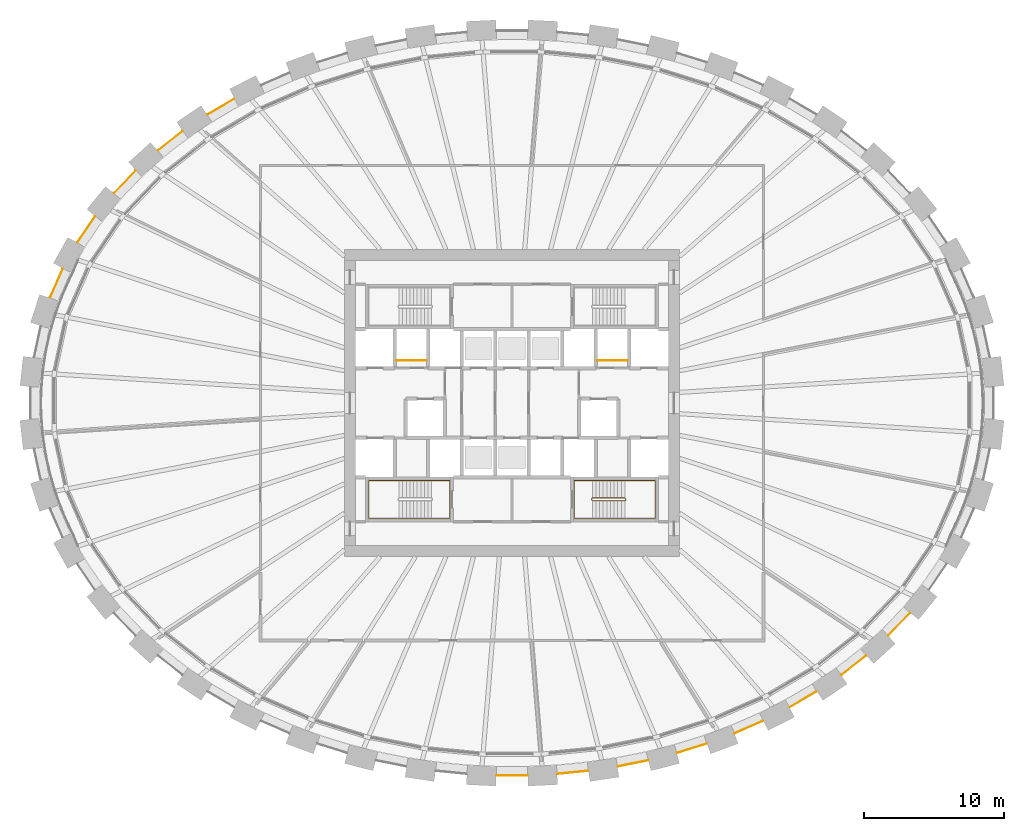
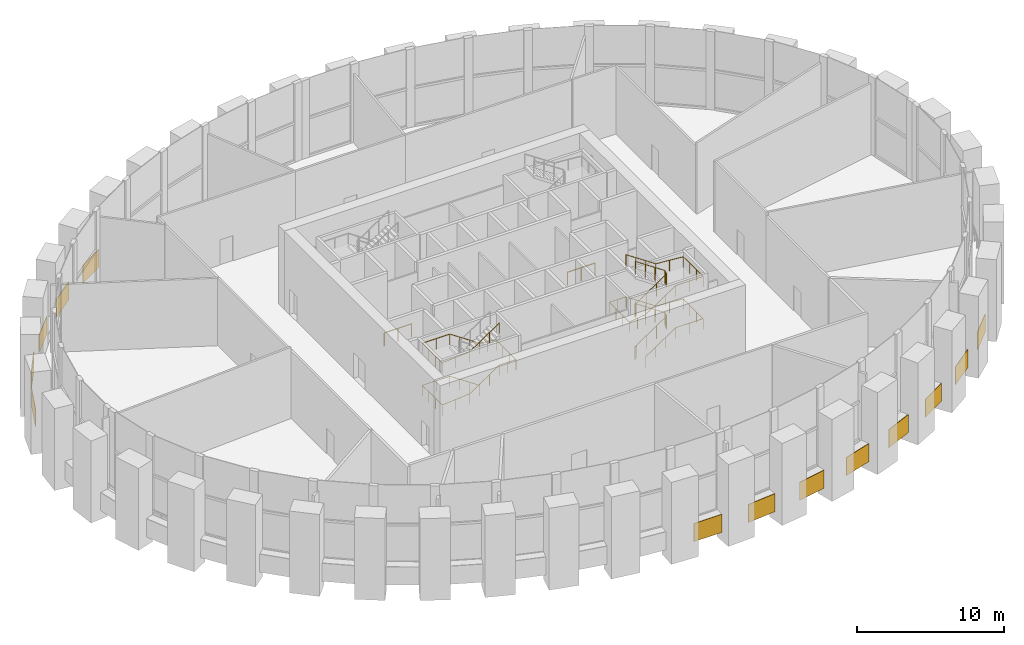
# One storey, part 13 of 16: 13 coverings, 5 railings.
"""IFC4 building model written with IfcOpenShell, lengths in metres."""

from ifc_helpers import new_model, si_unit, direction, frame, origin, origin_2d, place, context, subcontext, project, spatial, rectangle, circle, extrude, source, transform, mapped, material, layer, layer_set, type_object, element, save


model = new_model("IFC4")

# Units and contexts
model_context = context("Model", 3, precision=1e-05, world=origin(), true_north=direction((0.0, 1.0)))
body_context = subcontext(model_context, "Body", "Model", "MODEL_VIEW")
ifc_project = project(units=[si_unit("LENGTHUNIT", "METRE"), si_unit("AREAUNIT", "SQUARE_METRE"), si_unit("VOLUMEUNIT", "CUBIC_METRE"), si_unit("PLANEANGLEUNIT", "RADIAN"), si_unit("MASSUNIT", "GRAM", prefix="KILO")], contexts=[model_context])

# Site, building, storey
site_placement = place(None, origin())
site = spatial("IfcSite", under=ifc_project, at=site_placement, CompositionType="ELEMENT")
building_placement = place(site_placement, origin())
building = spatial("IfcBuilding", under=site, at=building_placement, Name="Embergate Tower", CompositionType="ELEMENT")
storey_placement = place(building_placement, frame((0.0, 0.0, 234.60009765625)))
storey = spatial("IfcBuildingStorey", under=building, at=storey_placement, Name="L54", CompositionType="ELEMENT", Elevation=234.60009765625)

# Coverings
ifc_material_1 = material(Name="Terracotta rainscreen on insulated backing", Category="masonry")
ifc_layer = layer(ifc_material_1, 0.0400390625)
ifc_layer_set = layer_set([ifc_layer], Name="Terracotta rainscreen on insulated backing")
covering_type = type_object("IfcCoveringType", Name="Terracotta rainscreen band", PredefinedType="CLADDING", material=ifc_layer_set)
shared_shape_1 = source(origin(), body_context, "Body", "SweptSolid", [
    extrude(rectangle(XDim=2.252685546875, YDim=0.0400390625, at=origin_2d()), origin(), (0.0, 0.0, 1.0), 1.5),
])
covering_1_placement = place(storey_placement, frame((-32.614501953125, 8.5810546875, -0.75), z_axis=(0.0, 0.0, 1.0), x_axis=(-0.401727222685, -0.915759378087, 0.0)))
element("IfcCovering", 1, at=covering_1_placement, inside=storey, type_object=covering_type, Name="Rainscreen band 20", PredefinedType="CLADDING", context=body_context, shape_type="MappedRepresentation", body=[
    mapped(shared_shape_1, transform((0.0, 0.0, 0.0))),
])
shared_shape_2 = source(origin(), body_context, "Body", "SweptSolid", [
    extrude(rectangle(XDim=2.248046875, YDim=0.0400390625, at=origin_2d()), origin(), (0.0, 0.0, 1.0), 1.5),
])
covering_2_placement = place(storey_placement, frame((-30.485595703125, 12.431396484375, -0.75), z_axis=(0.0, 0.0, 1.0), x_axis=(-0.562273908619, -0.826951057612, 0.0)))
element("IfcCovering", 2, at=covering_2_placement, inside=storey, type_object=covering_type, Name="Rainscreen band 19", PredefinedType="CLADDING", context=body_context, shape_type="MappedRepresentation", body=[
    mapped(shared_shape_2, transform((0.0, 0.0, 0.0))),
])
shared_shape_3 = source(origin(), body_context, "Body", "SweptSolid", [
    extrude(rectangle(XDim=2.24072265625, YDim=0.0400390625, at=origin_2d()), origin(), (0.0, 0.0, 1.0), 1.5),
])
for number, where, z_axis, x_axis, name in (
    (3, (-27.7119140625, 15.83349609375, -0.75), (0.0, 0.0, 1.0), (-0.690401506578, -0.723426402417, 0.0), "Rainscreen band 18"),
    (4, (27.7119140625, -15.83349609375, -0.75), (0.0, 0.0, 1.0), (0.690401506578, 0.723426402417, 0.0), "Rainscreen band 40"),
):
    element("IfcCovering", number, at=place(storey_placement, frame(where, z_axis=z_axis, x_axis=x_axis)), inside=storey, type_object=covering_type, Name=name, PredefinedType="CLADDING", context=body_context, shape_type="MappedRepresentation", body=[
        mapped(shared_shape_3, transform((0.0, 0.0, 0.0))),
    ])
shared_shape_4 = source(origin(), body_context, "Body", "SweptSolid", [
    extrude(rectangle(XDim=2.23583984375, YDim=0.0400390625, at=origin_2d()), origin(), (0.0, 0.0, 1.0), 1.5),
])
for number, where, z_axis, x_axis, name in (
    (5, (-24.46630859375, 18.772705078125, -0.75), (0.0, 0.0, 1.0), (-0.788532692603, -0.614992839549, 0.0), "Rainscreen band 17"),
    (6, (24.46630859375, -18.772705078125, -0.75), (0.0, 0.0, 1.0), (0.788532692603, 0.614992839549, 0.0), "Rainscreen band 39"),
):
    element("IfcCovering", number, at=place(storey_placement, frame(where, z_axis=z_axis, x_axis=x_axis)), inside=storey, type_object=covering_type, Name=name, PredefinedType="CLADDING", context=body_context, shape_type="MappedRepresentation", body=[
        mapped(shared_shape_4, transform((0.0, 0.0, 0.0))),
    ])
shared_shape_5 = source(origin(), body_context, "Body", "SweptSolid", [
    extrude(rectangle(XDim=2.23046875, YDim=0.0400390625, at=origin_2d()), origin(), (0.0, 0.0, 1.0), 1.5),
])
for number, where, z_axis, x_axis, name in (
    (7, (-20.840576171875, 21.212890625, -0.75), (0.0, 0.0, 1.0), (-0.862164602033, -0.506628265104, 0.0), "Rainscreen band 16"),
    (8, (20.840576171875, -21.212890625, -0.75), (0.0, 0.0, 1.0), (0.862164602033, 0.506628265104, 0.0), "Rainscreen band 38"),
):
    element("IfcCovering", number, at=place(storey_placement, frame(where, z_axis=z_axis, x_axis=x_axis)), inside=storey, type_object=covering_type, Name=name, PredefinedType="CLADDING", context=body_context, shape_type="MappedRepresentation", body=[
        mapped(shared_shape_5, transform((0.0, 0.0, 0.0))),
    ])
shared_shape_6 = source(origin(), body_context, "Body", "SweptSolid", [
    extrude(rectangle(XDim=2.227294921875, YDim=0.0400390625, at=origin_2d()), origin(), (0.0, 0.0, 1.0), 1.5),
])
covering_3_placement = place(storey_placement, frame((16.95458984375, -23.1962890625, -0.75), z_axis=(0.0, 0.0, 1.0), x_axis=(0.916311714041, 0.400465782199, 0.0)))
element("IfcCovering", 9, at=covering_3_placement, inside=storey, type_object=covering_type, Name="Rainscreen band 37", PredefinedType="CLADDING", context=body_context, shape_type="MappedRepresentation", body=[
    mapped(shared_shape_6, transform((0.0, 0.0, 0.0))),
])
shared_shape_7 = source(origin(), body_context, "Body", "SweptSolid", [
    extrude(rectangle(XDim=2.2255859375, YDim=0.0400390625, at=origin_2d()), origin(), (0.0, 0.0, 1.0), 1.5),
])
covering_4_placement = place(storey_placement, frame((12.87158203125, -24.719482421875, -0.75), z_axis=(0.0, 0.0, 1.0), x_axis=(0.954743670356, 0.297429863859, 0.0)))
element("IfcCovering", 10, at=covering_4_placement, inside=storey, type_object=covering_type, Name="Rainscreen band 36", PredefinedType="CLADDING", context=body_context, shape_type="MappedRepresentation", body=[
    mapped(shared_shape_7, transform((0.0, 0.0, 0.0))),
])
shared_shape_8 = source(origin(), body_context, "Body", "SweptSolid", [
    extrude(rectangle(XDim=2.223388671875, YDim=0.0400390625, at=origin_2d()), origin(), (0.0, 0.0, 1.0), 1.5),
])
covering_5_placement = place(storey_placement, frame((8.65185546875, -25.79736328125, -0.75), z_axis=(0.0, 0.0, 1.0), x_axis=(0.980494092827, 0.196548553624, 0.0)))
element("IfcCovering", 11, at=covering_5_placement, inside=storey, type_object=covering_type, Name="Rainscreen band 35", PredefinedType="CLADDING", context=body_context, shape_type="MappedRepresentation", body=[
    mapped(shared_shape_8, transform((0.0, 0.0, 0.0))),
])
shared_shape_9 = source(origin(), body_context, "Body", "SweptSolid", [
    extrude(rectangle(XDim=2.2236328125, YDim=0.0400390625, at=origin_2d()), origin(), (0.0, 0.0, 1.0), 1.5),
])
covering_6_placement = place(storey_placement, frame((4.346923828125, -26.4384765625, -0.75), z_axis=(0.0, 0.0, 1.0), x_axis=(0.995183015799, 0.098034509565, 0.0)))
element("IfcCovering", 12, at=covering_6_placement, inside=storey, type_object=covering_type, Name="Rainscreen band 34", PredefinedType="CLADDING", context=body_context, shape_type="MappedRepresentation", body=[
    mapped(shared_shape_9, transform((0.0, 0.0, 0.0))),
])
shared_shape_10 = source(origin(), body_context, "Body", "SweptSolid", [
    extrude(rectangle(XDim=2.221923828125, YDim=0.0400390625, at=origin_2d()), origin(), (0.0, 0.0, 1.0), 1.5),
])
covering_7_placement = place(storey_placement, frame((0.0, -26.652099609375, -0.75), z_axis=(0.0, 0.0, 1.0), x_axis=(1.0, 0.0, 0.0)))
element("IfcCovering", 13, at=covering_7_placement, inside=storey, type_object=covering_type, Name="Rainscreen band 33", PredefinedType="CLADDING", context=body_context, shape_type="MappedRepresentation", body=[
    mapped(shared_shape_10, transform((0.0, 0.0, 0.0))),
])

# Railings
ifc_material_2 = material(Name="Stair handrail 900")
railing_type_1 = type_object("IfcRailingType", Name="Stair handrail 900", PredefinedType="HANDRAIL", material=ifc_material_2)
shared_shape_11 = source(origin(), body_context, "Body", "SweptSolid", [
    extrude(circle(Radius=0.02392578125, at=origin_2d()), frame((0.0, 0.0, 0.8759765625), z_axis=(-0.829565388462, 0.0, 0.558409586474), x_axis=(0.0, -1.0, 0.0)), (0.0, 0.0, 1.0), 2.82080078125),
    extrude(circle(Radius=0.02392578125, at=origin_2d()), frame((-2.340087890625, 0.0, 2.451171875), z_axis=(-1.0, 0.0, 0.0), x_axis=(0.0, -1.0, 0.0)), (0.0, 0.0, 1.0), 2.159912109375),
    extrude(circle(Radius=0.02392578125, at=origin_2d()), frame((-4.5, 0.0, 2.451171875), z_axis=(0.0, -1.0, 0.0), x_axis=(1.0, 0.0, 0.0)), (0.0, 0.0, 1.0), 2.699951171875),
    extrude(circle(Radius=0.02392578125, at=origin_2d()), frame((-4.5, -2.699951171875, 2.451171875), z_axis=(0.996741055708, 0.0, 0.080667638283), x_axis=(0.0, 1.0, 0.0)), (0.0, 0.0, 1.0), 2.1669921875),
    extrude(circle(Radius=0.02392578125, at=origin_2d()), frame((-2.340087890625, -2.699951171875, 2.6259765625), z_axis=(0.829565388462, 0.0, 0.558409586474), x_axis=(0.0, 1.0, 0.0)), (0.0, 0.0, 1.0), 2.82080078125),
    extrude(circle(Radius=0.02392578125, at=origin_2d()), frame((0.0, -2.699951171875, 4.201171875), z_axis=(1.0, 0.0, 0.0), x_axis=(0.0, 1.0, 0.0)), (0.0, 0.0, 1.0), 1.300048828125),
    extrude(circle(Radius=0.02392578125, at=origin_2d()), frame((1.300048828125, -2.699951171875, 4.201171875), z_axis=(0.0, 1.0, 0.0), x_axis=(-1.0, 0.0, 0.0)), (0.0, 0.0, 1.0), 2.699951171875),
    extrude(circle(Radius=0.02392578125, at=origin_2d()), frame((1.300048828125, 0.0, 4.201171875), z_axis=(-0.99108099941, 0.0, 0.13326084424), x_axis=(0.0, -1.0, 0.0)), (0.0, 0.0, 1.0), 1.311767578125),
    extrude(circle(Radius=0.02392578125, at=origin_2d()), frame((0.0, 0.0, 4.3759765625), z_axis=(-0.829565388462, 0.0, 0.558409586474), x_axis=(0.0, -1.0, 0.0)), (0.0, 0.0, 1.0), 2.82080078125),
    extrude(circle(Radius=0.02392578125, at=origin_2d()), frame((-2.340087890625, 0.0, 5.951171875), z_axis=(-1.0, 0.0, 0.0), x_axis=(0.0, -1.0, 0.0)), (0.0, 0.0, 1.0), 2.159912109375),
    extrude(circle(Radius=0.02392578125, at=origin_2d()), frame((-4.5, 0.0, 5.951171875), z_axis=(0.0, -1.0, 0.0), x_axis=(1.0, 0.0, 0.0)), (0.0, 0.0, 1.0), 2.699951171875),
    extrude(circle(Radius=0.02392578125, at=origin_2d()), frame((-4.5, -2.699951171875, 5.951171875), z_axis=(0.996741055708, 0.0, 0.080667638283), x_axis=(0.0, 1.0, 0.0)), (0.0, 0.0, 1.0), 2.1669921875),
    extrude(circle(Radius=0.02392578125, at=origin_2d()), frame((-2.340087890625, -2.699951171875, 6.1259765625), z_axis=(0.829565388462, 0.0, 0.558409586474), x_axis=(0.0, 1.0, 0.0)), (0.0, 0.0, 1.0), 2.82080078125),
    extrude(circle(Radius=0.02099609375, at=origin_2d()), origin(), (0.0, 0.0, 1.0), 0.851806640625),
    extrude(circle(Radius=0.02099609375, at=origin_2d()), frame((-0.780029296875, 0.0, 0.525146484375)), (0.0, 0.0, 1.0), 0.851806640625),
    extrude(circle(Radius=0.02099609375, at=origin_2d()), frame((-1.56005859375, 0.0, 1.050048828125)), (0.0, 0.0, 1.0), 0.851806640625),
    extrude(circle(Radius=0.02099609375, at=origin_2d()), frame((-2.340087890625, 0.0, 1.5751953125)), (0.0, 0.0, 1.0), 0.851806640625),
    extrude(circle(Radius=0.02099609375, at=origin_2d()), frame((-3.419921875, 0.0, 1.5751953125)), (0.0, 0.0, 1.0), 0.851806640625),
    extrude(circle(Radius=0.02099609375, at=origin_2d()), frame((-4.5, 0.0, 1.5751953125)), (0.0, 0.0, 1.0), 0.851806640625),
    extrude(circle(Radius=0.02099609375, at=origin_2d()), frame((-4.5, -0.89990234375, 1.5751953125)), (0.0, 0.0, 1.0), 0.851806640625),
    extrude(circle(Radius=0.02099609375, at=origin_2d()), frame((-4.5, -1.800048828125, 1.5751953125)), (0.0, 0.0, 1.0), 0.851806640625),
    extrude(circle(Radius=0.02099609375, at=origin_2d()), frame((-4.5, -2.699951171875, 1.5751953125)), (0.0, 0.0, 1.0), 0.851806640625),
    extrude(circle(Radius=0.02099609375, at=origin_2d()), frame((-3.419921875, -2.699951171875, 1.66259765625)), (0.0, 0.0, 1.0), 0.851806640625),
    extrude(circle(Radius=0.02099609375, at=origin_2d()), frame((-2.340087890625, -2.699951171875, 1.75)), (0.0, 0.0, 1.0), 0.851806640625),
    extrude(circle(Radius=0.02099609375, at=origin_2d()), frame((-1.56005859375, -2.699951171875, 2.275146484375)), (0.0, 0.0, 1.0), 0.851806640625),
    extrude(circle(Radius=0.02099609375, at=origin_2d()), frame((-0.780029296875, -2.699951171875, 2.800048828125)), (0.0, 0.0, 1.0), 0.851806640625),
    extrude(circle(Radius=0.02099609375, at=origin_2d()), frame((0.0, -2.699951171875, 3.3251953125)), (0.0, 0.0, 1.0), 0.851806640625),
    extrude(circle(Radius=0.02099609375, at=origin_2d()), frame((0.64990234375, -2.699951171875, 3.3251953125)), (0.0, 0.0, 1.0), 0.851806640625),
    extrude(circle(Radius=0.02099609375, at=origin_2d()), frame((1.300048828125, -2.699951171875, 3.3251953125)), (0.0, 0.0, 1.0), 0.851806640625),
    extrude(circle(Radius=0.02099609375, at=origin_2d()), frame((1.300048828125, -1.800048828125, 3.3251953125)), (0.0, 0.0, 1.0), 0.851806640625),
    extrude(circle(Radius=0.02099609375, at=origin_2d()), frame((1.300048828125, -0.89990234375, 3.3251953125)), (0.0, 0.0, 1.0), 0.851806640625),
    extrude(circle(Radius=0.02099609375, at=origin_2d()), frame((1.300048828125, 0.0, 3.3251953125)), (0.0, 0.0, 1.0), 0.851806640625),
    extrude(circle(Radius=0.02099609375, at=origin_2d()), frame((0.64990234375, 0.0, 3.41259765625)), (0.0, 0.0, 1.0), 0.851806640625),
    extrude(circle(Radius=0.02099609375, at=origin_2d()), frame((0.0, 0.0, 3.5)), (0.0, 0.0, 1.0), 0.851806640625),
    extrude(circle(Radius=0.02099609375, at=origin_2d()), frame((-0.780029296875, 0.0, 4.025146484375)), (0.0, 0.0, 1.0), 0.851806640625),
    extrude(circle(Radius=0.02099609375, at=origin_2d()), frame((-1.56005859375, 0.0, 4.550048828125)), (0.0, 0.0, 1.0), 0.851806640625),
    extrude(circle(Radius=0.02099609375, at=origin_2d()), frame((-2.340087890625, 0.0, 5.0751953125)), (0.0, 0.0, 1.0), 0.851806640625),
    extrude(circle(Radius=0.02099609375, at=origin_2d()), frame((-3.419921875, 0.0, 5.0751953125)), (0.0, 0.0, 1.0), 0.851806640625),
    extrude(circle(Radius=0.02099609375, at=origin_2d()), frame((-4.5, 0.0, 5.0751953125)), (0.0, 0.0, 1.0), 0.851806640625),
    extrude(circle(Radius=0.02099609375, at=origin_2d()), frame((-4.5, -0.89990234375, 5.0751953125)), (0.0, 0.0, 1.0), 0.851806640625),
    extrude(circle(Radius=0.02099609375, at=origin_2d()), frame((-4.5, -1.800048828125, 5.0751953125)), (0.0, 0.0, 1.0), 0.851806640625),
    extrude(circle(Radius=0.02099609375, at=origin_2d()), frame((-4.5, -2.699951171875, 5.0751953125)), (0.0, 0.0, 1.0), 0.851806640625),
    extrude(circle(Radius=0.02099609375, at=origin_2d()), frame((-3.419921875, -2.699951171875, 5.16259765625)), (0.0, 0.0, 1.0), 0.851806640625),
    extrude(circle(Radius=0.02099609375, at=origin_2d()), frame((-2.340087890625, -2.699951171875, 5.25)), (0.0, 0.0, 1.0), 0.851806640625),
    extrude(circle(Radius=0.02099609375, at=origin_2d()), frame((-1.56005859375, -2.699951171875, 5.775146484375)), (0.0, 0.0, 1.0), 0.851806640625),
    extrude(circle(Radius=0.02099609375, at=origin_2d()), frame((-0.780029296875, -2.699951171875, 6.300048828125)), (0.0, 0.0, 1.0), 0.851806640625),
    extrude(circle(Radius=0.02099609375, at=origin_2d()), frame((0.0, -2.699951171875, 6.8251953125)), (0.0, 0.0, 1.0), 0.851806640625),
])
railing_1_placement = place(storey_placement, frame((-5.75, -5.550048828125, 0.1748046875)))
element("IfcRailing", 14, at=railing_1_placement, inside=storey, type_object=railing_type_1, Name="L54 ST3 stair handrail 1", PredefinedType="HANDRAIL", context=body_context, shape_type="MappedRepresentation", body=[
    mapped(shared_shape_11, transform((0.0, 0.0, 0.0))),
])
ifc_material_3 = material(Name="Stair guard 1100")
railing_type_2 = type_object("IfcRailingType", Name="Stair guard 1100", PredefinedType="GUARDRAIL", material=ifc_material_3)
shared_shape_12 = source(origin(), body_context, "Body", "SweptSolid", [
    extrude(circle(Radius=0.02392578125, at=origin_2d()), frame((0.0, 0.0, 1.076171875), z_axis=(0.0, -1.0, 0.0), x_axis=(1.0, 0.0, 0.0)), (0.0, 0.0, 1.0), 0.099853515625),
    extrude(circle(Radius=0.02392578125, at=origin_2d()), frame((0.0, -0.099853515625, 1.076171875), z_axis=(0.265383341853, -0.265383341853, 0.926899867156), x_axis=(0.707106781187, 0.707106781187, 0.0)), (0.0, 0.0, 1.0), 0.1884765625),
    extrude(circle(Radius=0.02392578125, at=origin_2d()), frame((0.050048828125, -0.14990234375, 1.2509765625), z_axis=(0.829565388462, 0.0, 0.558409586474), x_axis=(0.0, 1.0, 0.0)), (0.0, 0.0, 1.0), 2.82080078125),
    extrude(circle(Radius=0.02392578125, at=origin_2d()), frame((2.39013671875, -0.14990234375, 2.826171875), z_axis=(0.705375805398, 0.708833529934, 0.0), x_axis=(-0.708833529934, 0.705375805398, 0.0)), (0.0, 0.0, 1.0), 0.070556640625),
    extrude(circle(Radius=0.02392578125, at=origin_2d()), frame((2.43994140625, -0.099853515625, 2.826171875), z_axis=(0.0, 1.0, 0.0), x_axis=(-1.0, 0.0, 0.0)), (0.0, 0.0, 1.0), 0.099853515625),
    extrude(circle(Radius=0.02392578125, at=origin_2d()), frame((2.43994140625, 0.0, 2.826171875), z_axis=(-0.264179342666, 0.265474339444, 0.927217692888), x_axis=(-0.708833529934, -0.705375805398, 0.0)), (0.0, 0.0, 1.0), 0.1884765625),
    extrude(circle(Radius=0.02392578125, at=origin_2d()), frame((2.39013671875, 0.050048828125, 3.0009765625), z_axis=(-0.829565388462, 0.0, 0.558409586474), x_axis=(0.0, -1.0, 0.0)), (0.0, 0.0, 1.0), 2.82080078125),
    extrude(circle(Radius=0.02392578125, at=origin_2d()), frame((0.050048828125, 0.050048828125, 4.576171875), z_axis=(-0.707106781187, -0.707106781187, 0.0), x_axis=(0.707106781187, -0.707106781187, 0.0)), (0.0, 0.0, 1.0), 0.07080078125),
    extrude(circle(Radius=0.02392578125, at=origin_2d()), frame((0.0, 0.0, 4.576171875), z_axis=(0.0, -1.0, 0.0), x_axis=(1.0, 0.0, 0.0)), (0.0, 0.0, 1.0), 0.099853515625),
    extrude(circle(Radius=0.02392578125, at=origin_2d()), frame((0.0, -0.099853515625, 4.576171875), z_axis=(0.265383341853, -0.265383341853, 0.926899867156), x_axis=(0.707106781187, 0.707106781187, 0.0)), (0.0, 0.0, 1.0), 0.1884765625),
    extrude(circle(Radius=0.02392578125, at=origin_2d()), frame((0.050048828125, -0.14990234375, 4.7509765625), z_axis=(0.829565388462, 0.0, 0.558409586474), x_axis=(0.0, 1.0, 0.0)), (0.0, 0.0, 1.0), 2.82080078125),
    extrude(circle(Radius=0.02392578125, at=origin_2d()), frame((2.39013671875, -0.14990234375, 6.326171875), z_axis=(0.705375805398, 0.708833529934, 0.0), x_axis=(-0.708833529934, 0.705375805398, 0.0)), (0.0, 0.0, 1.0), 0.070556640625),
    extrude(circle(Radius=0.02392578125, at=origin_2d()), frame((2.43994140625, -0.099853515625, 6.326171875), z_axis=(0.0, 1.0, 0.0), x_axis=(-1.0, 0.0, 0.0)), (0.0, 0.0, 1.0), 0.099853515625),
    extrude(circle(Radius=0.02392578125, at=origin_2d()), frame((2.43994140625, 0.0, 6.326171875), z_axis=(-0.264179342666, 0.265474339444, 0.927217692888), x_axis=(-0.708833529934, -0.705375805398, 0.0)), (0.0, 0.0, 1.0), 0.1884765625),
    extrude(circle(Radius=0.02392578125, at=origin_2d()), frame((2.39013671875, 0.050048828125, 6.5009765625), z_axis=(-0.829565388462, 0.0, 0.558409586474), x_axis=(0.0, -1.0, 0.0)), (0.0, 0.0, 1.0), 2.82080078125),
    extrude(circle(Radius=0.02099609375, at=origin_2d()), origin(), (0.0, 0.0, 1.0), 1.052001953125),
    extrude(circle(Radius=0.02099609375, at=origin_2d()), frame((0.0, -0.099853515625, 0.0)), (0.0, 0.0, 1.0), 1.052001953125),
    extrude(circle(Radius=0.02099609375, at=origin_2d()), frame((0.050048828125, -0.14990234375, 0.1748046875)), (0.0, 0.0, 1.0), 1.052001953125),
    extrude(circle(Radius=0.02099609375, at=origin_2d()), frame((0.830078125, -0.14990234375, 0.699951171875)), (0.0, 0.0, 1.0), 1.052001953125),
    extrude(circle(Radius=0.02099609375, at=origin_2d()), frame((1.610107421875, -0.14990234375, 1.224853515625)), (0.0, 0.0, 1.0), 1.052001953125),
    extrude(circle(Radius=0.02099609375, at=origin_2d()), frame((2.39013671875, -0.14990234375, 1.75)), (0.0, 0.0, 1.0), 1.052001953125),
    extrude(circle(Radius=0.02099609375, at=origin_2d()), frame((2.43994140625, -0.099853515625, 1.75)), (0.0, 0.0, 1.0), 1.052001953125),
    extrude(circle(Radius=0.02099609375, at=origin_2d()), frame((2.43994140625, 0.0, 1.75)), (0.0, 0.0, 1.0), 1.052001953125),
    extrude(circle(Radius=0.02099609375, at=origin_2d()), frame((2.39013671875, 0.050048828125, 1.9248046875)), (0.0, 0.0, 1.0), 1.052001953125),
    extrude(circle(Radius=0.02099609375, at=origin_2d()), frame((1.610107421875, 0.050048828125, 2.449951171875)), (0.0, 0.0, 1.0), 1.052001953125),
    extrude(circle(Radius=0.02099609375, at=origin_2d()), frame((0.830078125, 0.050048828125, 2.974853515625)), (0.0, 0.0, 1.0), 1.052001953125),
    extrude(circle(Radius=0.02099609375, at=origin_2d()), frame((0.050048828125, 0.050048828125, 3.5)), (0.0, 0.0, 1.0), 1.052001953125),
    extrude(circle(Radius=0.02099609375, at=origin_2d()), frame((0.0, 0.0, 3.5)), (0.0, 0.0, 1.0), 1.052001953125),
    extrude(circle(Radius=0.02099609375, at=origin_2d()), frame((0.0, -0.099853515625, 3.5)), (0.0, 0.0, 1.0), 1.052001953125),
    extrude(circle(Radius=0.02099609375, at=origin_2d()), frame((0.050048828125, -0.14990234375, 3.6748046875)), (0.0, 0.0, 1.0), 1.052001953125),
    extrude(circle(Radius=0.02099609375, at=origin_2d()), frame((0.830078125, -0.14990234375, 4.199951171875)), (0.0, 0.0, 1.0), 1.052001953125),
    extrude(circle(Radius=0.02099609375, at=origin_2d()), frame((1.610107421875, -0.14990234375, 4.724853515625)), (0.0, 0.0, 1.0), 1.052001953125),
    extrude(circle(Radius=0.02099609375, at=origin_2d()), frame((2.39013671875, -0.14990234375, 5.25)), (0.0, 0.0, 1.0), 1.052001953125),
    extrude(circle(Radius=0.02099609375, at=origin_2d()), frame((2.43994140625, -0.099853515625, 5.25)), (0.0, 0.0, 1.0), 1.052001953125),
    extrude(circle(Radius=0.02099609375, at=origin_2d()), frame((2.43994140625, 0.0, 5.25)), (0.0, 0.0, 1.0), 1.052001953125),
    extrude(circle(Radius=0.02099609375, at=origin_2d()), frame((2.39013671875, 0.050048828125, 5.4248046875)), (0.0, 0.0, 1.0), 1.052001953125),
    extrude(circle(Radius=0.02099609375, at=origin_2d()), frame((1.610107421875, 0.050048828125, 5.949951171875)), (0.0, 0.0, 1.0), 1.052001953125),
    extrude(circle(Radius=0.02099609375, at=origin_2d()), frame((0.830078125, 0.050048828125, 6.474853515625)), (0.0, 0.0, 1.0), 1.052001953125),
    extrude(circle(Radius=0.02099609375, at=origin_2d()), frame((0.050048828125, 0.050048828125, 7.0)), (0.0, 0.0, 1.0), 1.052001953125),
])
railing_2_placement = place(storey_placement, frame((5.699951171875, -6.85009765625, 0.0)))
element("IfcRailing", 15, at=railing_2_placement, inside=storey, type_object=railing_type_2, Name="L54 ST4 stair guard 1", PredefinedType="GUARDRAIL", context=body_context, shape_type="MappedRepresentation", body=[
    mapped(shared_shape_12, transform((0.0, 0.0, 0.0))),
])
shared_shape_13 = source(origin(), body_context, "Body", "SweptSolid", [
    extrude(circle(Radius=0.02392578125, at=origin_2d()), frame((0.0, 0.0, 0.8759765625), z_axis=(0.829565388462, 0.0, 0.558409586474), x_axis=(0.0, 1.0, 0.0)), (0.0, 0.0, 1.0), 2.82080078125),
    extrude(circle(Radius=0.02392578125, at=origin_2d()), frame((2.340087890625, 0.0, 2.451171875), z_axis=(1.0, 0.0, 0.0), x_axis=(0.0, 1.0, 0.0)), (0.0, 0.0, 1.0), 2.159912109375),
    extrude(circle(Radius=0.02392578125, at=origin_2d()), frame((4.5, 0.0, 2.451171875), z_axis=(0.0, 1.0, 0.0), x_axis=(-1.0, 0.0, 0.0)), (0.0, 0.0, 1.0), 2.699951171875),
    extrude(circle(Radius=0.02392578125, at=origin_2d()), frame((4.5, 2.699951171875, 2.451171875), z_axis=(-0.996741055708, 0.0, 0.080667638283), x_axis=(0.0, -1.0, 0.0)), (0.0, 0.0, 1.0), 2.1669921875),
    extrude(circle(Radius=0.02392578125, at=origin_2d()), frame((2.340087890625, 2.699951171875, 2.6259765625), z_axis=(-0.829565388462, 0.0, 0.558409586474), x_axis=(0.0, -1.0, 0.0)), (0.0, 0.0, 1.0), 2.82080078125),
    extrude(circle(Radius=0.02392578125, at=origin_2d()), frame((0.0, 2.699951171875, 4.201171875), z_axis=(-1.0, 0.0, 0.0), x_axis=(0.0, -1.0, 0.0)), (0.0, 0.0, 1.0), 1.300048828125),
    extrude(circle(Radius=0.02392578125, at=origin_2d()), frame((-1.300048828125, 2.699951171875, 4.201171875), z_axis=(0.0, -1.0, 0.0), x_axis=(1.0, 0.0, 0.0)), (0.0, 0.0, 1.0), 2.699951171875),
    extrude(circle(Radius=0.02392578125, at=origin_2d()), frame((-1.300048828125, 0.0, 4.201171875), z_axis=(0.99108099941, 0.0, 0.13326084424), x_axis=(0.0, 1.0, 0.0)), (0.0, 0.0, 1.0), 1.311767578125),
    extrude(circle(Radius=0.02392578125, at=origin_2d()), frame((0.0, 0.0, 4.3759765625), z_axis=(0.829565388462, 0.0, 0.558409586474), x_axis=(0.0, 1.0, 0.0)), (0.0, 0.0, 1.0), 2.82080078125),
    extrude(circle(Radius=0.02392578125, at=origin_2d()), frame((2.340087890625, 0.0, 5.951171875), z_axis=(1.0, 0.0, 0.0), x_axis=(0.0, 1.0, 0.0)), (0.0, 0.0, 1.0), 2.159912109375),
    extrude(circle(Radius=0.02392578125, at=origin_2d()), frame((4.5, 0.0, 5.951171875), z_axis=(0.0, 1.0, 0.0), x_axis=(-1.0, 0.0, 0.0)), (0.0, 0.0, 1.0), 2.699951171875),
    extrude(circle(Radius=0.02392578125, at=origin_2d()), frame((4.5, 2.699951171875, 5.951171875), z_axis=(-0.996741055708, 0.0, 0.080667638283), x_axis=(0.0, -1.0, 0.0)), (0.0, 0.0, 1.0), 2.1669921875),
    extrude(circle(Radius=0.02392578125, at=origin_2d()), frame((2.340087890625, 2.699951171875, 6.1259765625), z_axis=(-0.829565388462, 0.0, 0.558409586474), x_axis=(0.0, -1.0, 0.0)), (0.0, 0.0, 1.0), 2.82080078125),
    extrude(circle(Radius=0.02099609375, at=origin_2d()), origin(), (0.0, 0.0, 1.0), 0.851806640625),
    extrude(circle(Radius=0.02099609375, at=origin_2d()), frame((0.780029296875, 0.0, 0.525146484375)), (0.0, 0.0, 1.0), 0.851806640625),
    extrude(circle(Radius=0.02099609375, at=origin_2d()), frame((1.56005859375, 0.0, 1.050048828125)), (0.0, 0.0, 1.0), 0.851806640625),
    extrude(circle(Radius=0.02099609375, at=origin_2d()), frame((2.340087890625, 0.0, 1.5751953125)), (0.0, 0.0, 1.0), 0.851806640625),
    extrude(circle(Radius=0.02099609375, at=origin_2d()), frame((3.419921875, 0.0, 1.5751953125)), (0.0, 0.0, 1.0), 0.851806640625),
    extrude(circle(Radius=0.02099609375, at=origin_2d()), frame((4.5, 0.0, 1.5751953125)), (0.0, 0.0, 1.0), 0.851806640625),
    extrude(circle(Radius=0.02099609375, at=origin_2d()), frame((4.5, 0.89990234375, 1.5751953125)), (0.0, 0.0, 1.0), 0.851806640625),
    extrude(circle(Radius=0.02099609375, at=origin_2d()), frame((4.5, 1.800048828125, 1.5751953125)), (0.0, 0.0, 1.0), 0.851806640625),
    extrude(circle(Radius=0.02099609375, at=origin_2d()), frame((4.5, 2.699951171875, 1.5751953125)), (0.0, 0.0, 1.0), 0.851806640625),
    extrude(circle(Radius=0.02099609375, at=origin_2d()), frame((3.419921875, 2.699951171875, 1.66259765625)), (0.0, 0.0, 1.0), 0.851806640625),
    extrude(circle(Radius=0.02099609375, at=origin_2d()), frame((2.340087890625, 2.699951171875, 1.75)), (0.0, 0.0, 1.0), 0.851806640625),
    extrude(circle(Radius=0.02099609375, at=origin_2d()), frame((1.56005859375, 2.699951171875, 2.275146484375)), (0.0, 0.0, 1.0), 0.851806640625),
    extrude(circle(Radius=0.02099609375, at=origin_2d()), frame((0.780029296875, 2.699951171875, 2.800048828125)), (0.0, 0.0, 1.0), 0.851806640625),
    extrude(circle(Radius=0.02099609375, at=origin_2d()), frame((0.0, 2.699951171875, 3.3251953125)), (0.0, 0.0, 1.0), 0.851806640625),
    extrude(circle(Radius=0.02099609375, at=origin_2d()), frame((-0.64990234375, 2.699951171875, 3.3251953125)), (0.0, 0.0, 1.0), 0.851806640625),
    extrude(circle(Radius=0.02099609375, at=origin_2d()), frame((-1.300048828125, 2.699951171875, 3.3251953125)), (0.0, 0.0, 1.0), 0.851806640625),
    extrude(circle(Radius=0.02099609375, at=origin_2d()), frame((-1.300048828125, 1.800048828125, 3.3251953125)), (0.0, 0.0, 1.0), 0.851806640625),
    extrude(circle(Radius=0.02099609375, at=origin_2d()), frame((-1.300048828125, 0.89990234375, 3.3251953125)), (0.0, 0.0, 1.0), 0.851806640625),
    extrude(circle(Radius=0.02099609375, at=origin_2d()), frame((-1.300048828125, 0.0, 3.3251953125)), (0.0, 0.0, 1.0), 0.851806640625),
    extrude(circle(Radius=0.02099609375, at=origin_2d()), frame((-0.64990234375, 0.0, 3.41259765625)), (0.0, 0.0, 1.0), 0.851806640625),
    extrude(circle(Radius=0.02099609375, at=origin_2d()), frame((0.0, 0.0, 3.5)), (0.0, 0.0, 1.0), 0.851806640625),
    extrude(circle(Radius=0.02099609375, at=origin_2d()), frame((0.780029296875, 0.0, 4.025146484375)), (0.0, 0.0, 1.0), 0.851806640625),
    extrude(circle(Radius=0.02099609375, at=origin_2d()), frame((1.56005859375, 0.0, 4.550048828125)), (0.0, 0.0, 1.0), 0.851806640625),
    extrude(circle(Radius=0.02099609375, at=origin_2d()), frame((2.340087890625, 0.0, 5.0751953125)), (0.0, 0.0, 1.0), 0.851806640625),
    extrude(circle(Radius=0.02099609375, at=origin_2d()), frame((3.419921875, 0.0, 5.0751953125)), (0.0, 0.0, 1.0), 0.851806640625),
    extrude(circle(Radius=0.02099609375, at=origin_2d()), frame((4.5, 0.0, 5.0751953125)), (0.0, 0.0, 1.0), 0.851806640625),
    extrude(circle(Radius=0.02099609375, at=origin_2d()), frame((4.5, 0.89990234375, 5.0751953125)), (0.0, 0.0, 1.0), 0.851806640625),
    extrude(circle(Radius=0.02099609375, at=origin_2d()), frame((4.5, 1.800048828125, 5.0751953125)), (0.0, 0.0, 1.0), 0.851806640625),
    extrude(circle(Radius=0.02099609375, at=origin_2d()), frame((4.5, 2.699951171875, 5.0751953125)), (0.0, 0.0, 1.0), 0.851806640625),
    extrude(circle(Radius=0.02099609375, at=origin_2d()), frame((3.419921875, 2.699951171875, 5.16259765625)), (0.0, 0.0, 1.0), 0.851806640625),
    extrude(circle(Radius=0.02099609375, at=origin_2d()), frame((2.340087890625, 2.699951171875, 5.25)), (0.0, 0.0, 1.0), 0.851806640625),
    extrude(circle(Radius=0.02099609375, at=origin_2d()), frame((1.56005859375, 2.699951171875, 5.775146484375)), (0.0, 0.0, 1.0), 0.851806640625),
    extrude(circle(Radius=0.02099609375, at=origin_2d()), frame((0.780029296875, 2.699951171875, 6.300048828125)), (0.0, 0.0, 1.0), 0.851806640625),
    extrude(circle(Radius=0.02099609375, at=origin_2d()), frame((0.0, 2.699951171875, 6.8251953125)), (0.0, 0.0, 1.0), 0.851806640625),
])
railing_3_placement = place(storey_placement, frame((5.75, -8.25, 0.1748046875)))
element("IfcRailing", 16, at=railing_3_placement, inside=storey, type_object=railing_type_1, Name="L54 ST4 stair handrail 1", PredefinedType="HANDRAIL", context=body_context, shape_type="MappedRepresentation", body=[
    mapped(shared_shape_13, transform((0.0, 0.0, 0.0))),
])
ifc_material_4 = material(Name="Opening guard 1100")
railing_type_3 = type_object("IfcRailingType", Name="Opening guard 1100", PredefinedType="GUARDRAIL", material=ifc_material_4)
shared_shape_14 = source(origin(), body_context, "Body", "SweptSolid", [
    extrude(circle(Radius=0.02392578125, at=origin_2d()), frame((0.0, 0.0, 1.076171875), z_axis=(1.0, 0.0, 0.0), x_axis=(0.0, 1.0, 0.0)), (0.0, 0.0, 1.0), 2.14990234375),
    extrude(circle(Radius=0.02099609375, at=origin_2d()), origin(), (0.0, 0.0, 1.0), 1.052001953125),
    extrude(circle(Radius=0.02099609375, at=origin_2d()), frame((1.074951171875, 0.0, 0.0)), (0.0, 0.0, 1.0), 1.052001953125),
    extrude(circle(Radius=0.02099609375, at=origin_2d()), frame((2.14990234375, 0.0, 0.0)), (0.0, 0.0, 1.0), 1.052001953125),
])
for number, where, name in (
    (17, (-8.27490234375, 3.050048828125, 0.0), "Riser opening guard"),
    (18, (6.125, 3.050048828125, 0.0), "Riser opening guard"),
):
    element("IfcRailing", number, at=place(storey_placement, frame(where)), inside=storey, type_object=railing_type_3, Name=name, PredefinedType="GUARDRAIL", context=body_context, shape_type="MappedRepresentation", body=[
        mapped(shared_shape_14, transform((0.0, 0.0, 0.0))),
    ])

save(model, "model.ifc")
